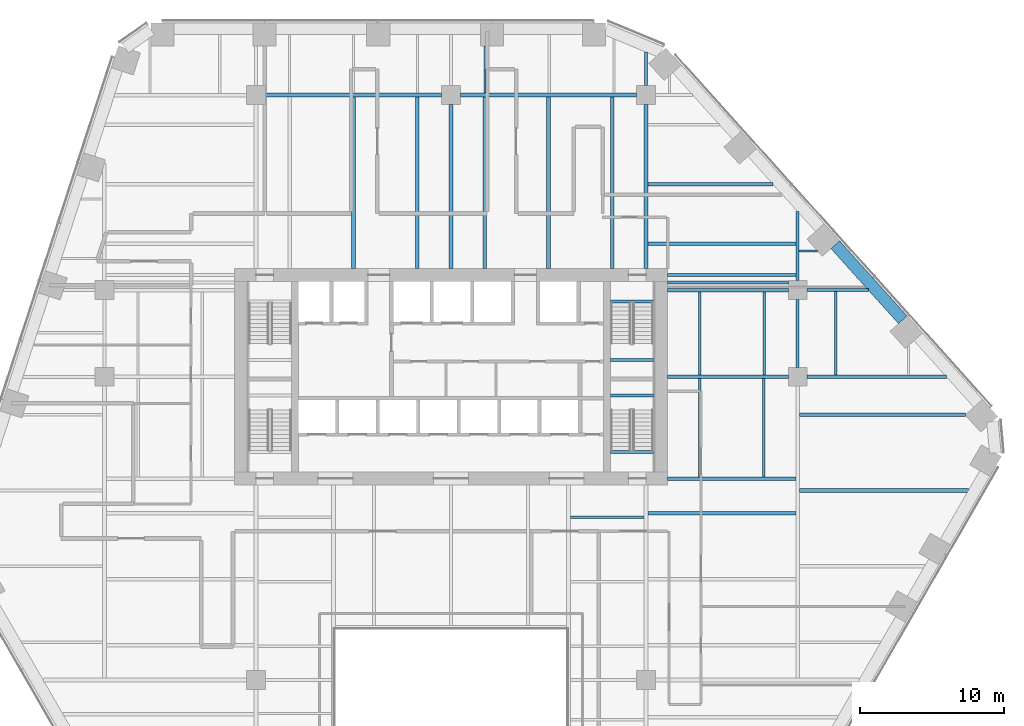
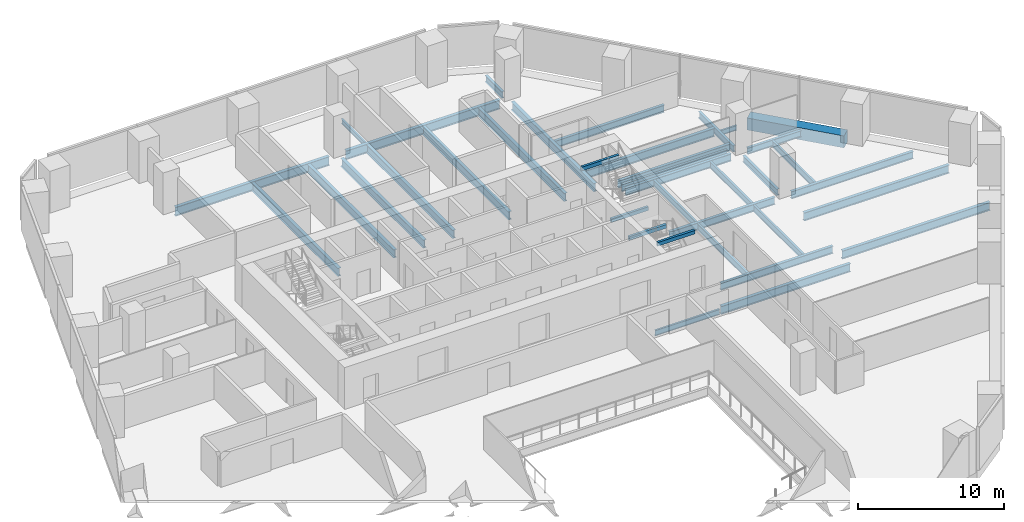
# One storey, part 9 of 21: 37 beams.
"""IFC4 building model written with IfcOpenShell, lengths in metres."""

from ifc_helpers import new_model, si_unit, direction, frame, origin, origin_2d, place, context, subcontext, project, spatial, rectangle, i_section, extrude, material, material_profile, profile_set, type_object, element, save


model = new_model("IFC4")

# Units and contexts
model_context = context("Model", 3, precision=1e-05, world=origin(), true_north=direction((0.0, 1.0)))
body_context = subcontext(model_context, "Body", "Model", "MODEL_VIEW")
ifc_project = project(units=[si_unit("LENGTHUNIT", "METRE"), si_unit("AREAUNIT", "SQUARE_METRE"), si_unit("VOLUMEUNIT", "CUBIC_METRE"), si_unit("PLANEANGLEUNIT", "RADIAN"), si_unit("MASSUNIT", "GRAM", prefix="KILO")], contexts=[model_context])

# Site, building, storey
site_placement = place(None, origin())
site = spatial("IfcSite", under=ifc_project, at=site_placement, CompositionType="ELEMENT")
building_placement = place(site_placement, origin())
building = spatial("IfcBuilding", under=site, at=building_placement, Name="Isthmus Gate Tower", CompositionType="ELEMENT")
storey_placement = place(building_placement, frame((0.0, 0.0, 102.550048828125)))
storey = spatial("IfcBuildingStorey", under=building, at=storey_placement, Name="L24", CompositionType="ELEMENT", Elevation=102.550048828125)

# Beams
ifc_material_1 = material(Name="Concrete f'c 70 MPa", Category="concrete")
ifc_material_profile_1 = material_profile(ifc_material_1, rectangle(XDim=0.800048828125, YDim=1.0, at=origin_2d()), Name="RC 800X1000")
ifc_profile_set_1 = profile_set([ifc_material_profile_1], Name="Concrete f'c 70 MPa")
beam_type_1 = type_object("IfcBeamType", Name="RC SPANDREL 800 X 1000", PredefinedType="SPANDREL", material=ifc_profile_set_1)
beam_1_placement = place(storey_placement, frame((26.597900390625, 16.640380859375, -0.5), z_axis=(0.669128753615, -0.743146493691, 0.0), x_axis=(0.743146493691, 0.669128753615, 0.0)))
element("IfcBeam", 1, at=beam_1_placement, inside=storey, type_object=beam_type_1, Name="str-spandrel-L24-03", PredefinedType="SPANDREL", context=body_context, shape_type="SweptSolid", body=[
    extrude(rectangle(XDim=0.800048828125, YDim=1.0, at=origin_2d()), origin(), (0.0, 0.0, 1.0), 6.9892578125),
])
ifc_material_2 = material(Name="Concrete f'c 40 MPa", Category="concrete")
ifc_material_profile_2 = material_profile(ifc_material_2, rectangle(XDim=0.199951171875, YDim=0.300048828125, at=origin_2d()), Name="STAIR LANDING BEAM RC 200 X 300")
ifc_profile_set_2 = profile_set([ifc_material_profile_2], Name="Concrete f'c 40 MPa")
beam_type_2 = type_object("IfcBeamType", Name="STAIR LANDING BEAM RC 200 X 300", PredefinedType="BEAM", material=ifc_profile_set_2)
for number, where, z_axis, x_axis, name in (
    (2, (11.050048828125, 8.64990234375, 1.474853515625), (1.0, 0.0, 0.0), (0.0, 1.0, 0.0), "L24 ST2 landing beam 1"),
    (3, (11.050048828125, 12.7001953125, 3.349853515625), (1.0, 0.0, 0.0), (0.0, 1.0, 0.0), "L24 ST2 floor-edge seat beam"),
    (4, (11.050048828125, 6.199951171875, 1.474853515625), (1.0, 0.0, 0.0), (0.0, 1.0, 0.0), "L24 ST8 landing beam 1"),
    (5, (11.050048828125, 2.2998046875, 3.349853515625), (1.0, 0.0, 0.0), (0.0, 1.0, 0.0), "L24 ST8 floor-edge seat beam"),
):
    element("IfcBeam", number, at=place(storey_placement, frame(where, z_axis=z_axis, x_axis=x_axis)), inside=storey, type_object=beam_type_2, Name=name, PredefinedType="BEAM", context=body_context, shape_type="SweptSolid", body=[
        extrude(rectangle(XDim=0.199951171875, YDim=0.300048828125, at=origin_2d()), origin(), (0.0, 0.0, 1.0), 2.949951171875),
    ])
ifc_material_3 = material(Name="Structural steel ASTM A992 Gr 50", Category="steel")
ifc_material_profile_3 = material_profile(ifc_material_3, i_section(OverallWidth=0.1396484375, OverallDepth=0.4033203125, WebThickness=0.00634765625, FlangeThickness=0.010986328125, at=origin_2d()), Name="W16X31")
ifc_profile_set_3 = profile_set([ifc_material_profile_3], Name="Structural steel ASTM A992 Gr 50")
beam_type_3 = type_object("IfcBeamType", Name="STEEL FLOOR BEAM W16X31", PredefinedType="JOIST", material=ifc_profile_set_3)
beam_2_placement = place(storey_placement, frame((2.33740234375, 27.1318359375, -0.3515625), z_axis=(0.0, 1.0, 0.0), x_axis=(-1.0, 0.0, 0.0)))
element("IfcBeam", 6, at=beam_2_placement, inside=storey, type_object=beam_type_3, Name="str-beam-L24-20-00", PredefinedType="JOIST", context=body_context, shape_type="SweptSolid", body=[
    extrude(i_section(OverallWidth=0.1396484375, OverallDepth=0.4033203125, WebThickness=0.00634765625, FlangeThickness=0.010986328125, at=origin_2d()), origin(), (0.0, 0.0, 1.0), 3.26806640625),
])
beam_3_placement = place(storey_placement, frame((24.104736328125, 16.208251953125, -0.3515625), z_axis=(1.0, 0.0, 0.0), x_axis=(0.0, 1.0, 0.0)))
element("IfcBeam", 7, at=beam_3_placement, inside=storey, type_object=beam_type_3, Name="str-beam-L24-32-00", PredefinedType="JOIST", context=body_context, shape_type="SweptSolid", body=[
    extrude(i_section(OverallWidth=0.1396484375, OverallDepth=0.4033203125, WebThickness=0.00634765625, FlangeThickness=0.010986328125, at=origin_2d()), origin(), (0.0, 0.0, 1.0), 1.267578125),
])
ifc_material_4 = material(Name="Structural steel ASTM A992 Gr 50", Category="steel")
ifc_material_profile_4 = material_profile(ifc_material_4, i_section(OverallWidth=0.15234375, OverallDepth=0.45068359375, WebThickness=0.0078125, FlangeThickness=0.010986328125, at=origin_2d()), Name="W18X35")
ifc_profile_set_4 = profile_set([ifc_material_profile_4], Name="Structural steel ASTM A992 Gr 50")
beam_type_4 = type_object("IfcBeamType", Name="STEEL FLOOR BEAM W18X35", PredefinedType="JOIST", material=ifc_profile_set_4)
beam_4_placement = place(storey_placement, frame((8.263427734375, -2.232421875, -0.37548828125), z_axis=(1.0, 0.0, 0.0), x_axis=(0.0, 1.0, 0.0)))
element("IfcBeam", 8, at=beam_4_placement, inside=storey, type_object=beam_type_4, Name="str-beam-L24-24-02", PredefinedType="JOIST", context=body_context, shape_type="SweptSolid", body=[
    extrude(i_section(OverallWidth=0.15234375, OverallDepth=0.45068359375, WebThickness=0.0078125, FlangeThickness=0.010986328125, at=origin_2d()), origin(), (0.0, 0.0, 1.0), 5.104736328125),
])
ifc_material_5 = material(Name="Structural steel ASTM A992 Gr 50", Category="steel")
ifc_material_profile_5 = material_profile(ifc_material_5, i_section(OverallWidth=0.1650390625, OverallDepth=0.52392578125, WebThickness=0.009521484375, FlangeThickness=0.010986328125, at=origin_2d()), Name="W21X44")
ifc_profile_set_5 = profile_set([ifc_material_profile_5], Name="Structural steel ASTM A992 Gr 50")
beam_type_5 = type_object("IfcBeamType", Name="STEEL FLOOR BEAM W21X44", PredefinedType="JOIST", material=ifc_profile_set_5)
for number, where, z_axis, x_axis, name in (
    (9, (17.223876953125, 7.6142578125, -0.412109375), (0.0, 1.0, 0.0), (-1.0, 0.0, 0.0), "str-beam-L24-30-00"),
    (10, (21.67138671875, 7.6142578125, -0.412109375), (0.0, 1.0, 0.0), (-1.0, 0.0, 0.0), "str-beam-L24-30-01"),
):
    element("IfcBeam", number, at=place(storey_placement, frame(where, z_axis=z_axis, x_axis=x_axis)), inside=storey, type_object=beam_type_5, Name=name, PredefinedType="JOIST", context=body_context, shape_type="SweptSolid", body=[
        extrude(i_section(OverallWidth=0.1650390625, OverallDepth=0.52392578125, WebThickness=0.009521484375, FlangeThickness=0.010986328125, at=origin_2d()), origin(), (0.0, 0.0, 1.0), 5.771484375),
    ])
for number, where, z_axis, x_axis, name in (
    (11, (17.216552734375, 0.564208984375, -0.412109375), (0.0, 1.0, 0.0), (-1.0, 0.0, 0.0), "str-beam-L24-31-00"),
    (12, (21.64990234375, 0.564208984375, -0.412109375), (0.0, 1.0, 0.0), (-1.0, 0.0, 0.0), "str-beam-L24-31-01"),
):
    element("IfcBeam", number, at=place(storey_placement, frame(where, z_axis=z_axis, x_axis=x_axis)), inside=storey, type_object=beam_type_5, Name=name, PredefinedType="JOIST", context=body_context, shape_type="SweptSolid", body=[
        extrude(i_section(OverallWidth=0.1650390625, OverallDepth=0.52392578125, WebThickness=0.009521484375, FlangeThickness=0.010986328125, at=origin_2d()), origin(), (0.0, 0.0, 1.0), 6.821533203125),
    ])
beam_5_placement = place(storey_placement, frame((26.625244140625, 7.6142578125, -0.412109375), z_axis=(0.0, 1.0, 0.0), x_axis=(-1.0, 0.0, 0.0)))
element("IfcBeam", 13, at=beam_5_placement, inside=storey, type_object=beam_type_5, Name="str-beam-L24-33-00", PredefinedType="JOIST", context=body_context, shape_type="SweptSolid", body=[
    extrude(i_section(OverallWidth=0.1650390625, OverallDepth=0.52392578125, WebThickness=0.009521484375, FlangeThickness=0.010986328125, at=origin_2d()), origin(), (0.0, 0.0, 1.0), 5.781005859375),
])
ifc_material_6 = material(Name="Structural steel ASTM A992 Gr 50", Category="steel")
ifc_material_profile_6 = material_profile(ifc_material_6, i_section(OverallWidth=0.177734375, OverallDepth=0.60009765625, WebThickness=0.009521484375, FlangeThickness=0.0126953125, at=origin_2d()), Name="W24X55")
ifc_profile_set_6 = profile_set([ifc_material_profile_6], Name="Structural steel ASTM A992 Gr 50")
beam_type_6 = type_object("IfcBeamType", Name="STEEL FLOOR BEAM W24X55", PredefinedType="JOIST", material=ifc_profile_set_6)
beam_6_placement = place(storey_placement, frame((15.0, 14.02490234375, -0.4501953125), z_axis=(1.0, 0.0, 0.0), x_axis=(0.0, 1.0, 0.0)))
element("IfcBeam", 14, at=beam_6_placement, inside=storey, type_object=beam_type_6, Name="str-beam-L24-29-00", PredefinedType="JOIST", context=body_context, shape_type="SweptSolid", body=[
    extrude(i_section(OverallWidth=0.177734375, OverallDepth=0.60009765625, WebThickness=0.009521484375, FlangeThickness=0.0126953125, at=origin_2d()), origin(), (0.0, 0.0, 1.0), 8.35009765625),
])
ifc_material_7 = material(Name="Structural steel ASTM A992 Gr 50", Category="steel")
ifc_material_profile_7 = material_profile(ifc_material_7, i_section(OverallWidth=0.228515625, OverallDepth=0.603271484375, WebThickness=0.010986328125, FlangeThickness=0.014404296875, at=origin_2d()), Name="W24X68")
ifc_profile_set_7 = profile_set([ifc_material_profile_7], Name="Structural steel ASTM A992 Gr 50")
beam_type_7 = type_object("IfcBeamType", Name="STEEL FLOOR BEAM W24X68", PredefinedType="JOIST", material=ifc_profile_set_7)
beam_7_placement = place(storey_placement, frame((13.626953125, 20.83203125, -0.45166015625), z_axis=(1.0, 0.0, 0.0), x_axis=(0.0, 1.0, 0.0)))
element("IfcBeam", 15, at=beam_7_placement, inside=storey, type_object=beam_type_7, Name="str-beam-L24-26-01", PredefinedType="JOIST", context=body_context, shape_type="SweptSolid", body=[
    extrude(i_section(OverallWidth=0.228515625, OverallDepth=0.603271484375, WebThickness=0.010986328125, FlangeThickness=0.014404296875, at=origin_2d()), origin(), (0.0, 0.0, 1.0), 8.658447265625),
])
ifc_material_8 = material(Name="Structural steel ASTM A992 Gr 50", Category="steel")
ifc_material_profile_8 = material_profile(ifc_material_8, i_section(OverallWidth=0.25390625, OverallDepth=0.679443359375, WebThickness=0.010986328125, FlangeThickness=0.015869140625, at=origin_2d()), Name="W27X84")
ifc_profile_set_8 = profile_set([ifc_material_profile_8], Name="Structural steel ASTM A992 Gr 50")
beam_type_8 = type_object("IfcBeamType", Name="STEEL FLOOR BEAM W27X84", PredefinedType="JOIST", material=ifc_profile_set_8)
for number, where, z_axis, x_axis, name in (
    (16, (-6.75, 15.0, -0.48974609375), (0.0, 1.0, 0.0), (-1.0, 0.0, 0.0), "str-beam-L24-14-01"),
    (17, (-2.334716796875, 15.0, -0.48974609375), (0.0, 1.0, 0.0), (-1.0, 0.0, 0.0), "str-beam-L24-14-02"),
    (18, (2.334716796875, 15.0, -0.48974609375), (0.0, 1.0, 0.0), (-1.0, 0.0, 0.0), "str-beam-L24-21-00"),
    (19, (6.75, 15.0, -0.48974609375), (0.0, 1.0, 0.0), (-1.0, 0.0, 0.0), "str-beam-L24-21-01"),
    (20, (11.165283203125, 15.0, -0.48974609375), (0.0, 1.0, 0.0), (-1.0, 0.0, 0.0), "str-beam-L24-21-02"),
):
    element("IfcBeam", number, at=place(storey_placement, frame(where, z_axis=z_axis, x_axis=x_axis)), inside=storey, type_object=beam_type_8, Name=name, PredefinedType="JOIST", context=body_context, shape_type="SweptSolid", body=[
        extrude(i_section(OverallWidth=0.25390625, OverallDepth=0.679443359375, WebThickness=0.010986328125, FlangeThickness=0.015869140625, at=origin_2d()), origin(), (0.0, 0.0, 1.0), 11.8681640625),
    ])
beam_8_placement = place(storey_placement, frame((13.626953125, 16.72021484375, -0.48974609375), z_axis=(1.0, 0.0, 0.0), x_axis=(0.0, 1.0, 0.0)))
element("IfcBeam", 21, at=beam_8_placement, inside=storey, type_object=beam_type_8, Name="str-beam-L24-26-00", PredefinedType="JOIST", context=body_context, shape_type="SweptSolid", body=[
    extrude(i_section(OverallWidth=0.25390625, OverallDepth=0.679443359375, WebThickness=0.010986328125, FlangeThickness=0.015869140625, at=origin_2d()), origin(), (0.0, 0.0, 1.0), 10.268310546875),
])
beam_9_placement = place(storey_placement, frame((13.6318359375, -1.947998046875, -0.48974609375), z_axis=(1.0, 0.0, 0.0), x_axis=(0.0, 1.0, 0.0)))
element("IfcBeam", 22, at=beam_9_placement, inside=storey, type_object=beam_type_8, Name="str-beam-L24-27-02", PredefinedType="JOIST", context=body_context, shape_type="SweptSolid", body=[
    extrude(i_section(OverallWidth=0.25390625, OverallDepth=0.679443359375, WebThickness=0.010986328125, FlangeThickness=0.015869140625, at=origin_2d()), origin(), (0.0, 0.0, 1.0), 10.23486328125),
])
beam_10_placement = place(storey_placement, frame((24.13330078125, -0.375, -0.48974609375), z_axis=(1.0, 0.0, 0.0), x_axis=(0.0, 1.0, 0.0)))
element("IfcBeam", 23, at=beam_10_placement, inside=storey, type_object=beam_type_8, Name="str-beam-L24-34-02", PredefinedType="JOIST", context=body_context, shape_type="SweptSolid", body=[
    extrude(i_section(OverallWidth=0.25390625, OverallDepth=0.679443359375, WebThickness=0.010986328125, FlangeThickness=0.015869140625, at=origin_2d()), origin(), (0.0, 0.0, 1.0), 11.6767578125),
])
beam_11_placement = place(storey_placement, frame((24.13330078125, 4.875, -0.48974609375), z_axis=(1.0, 0.0, 0.0), x_axis=(0.0, 1.0, 0.0)))
element("IfcBeam", 24, at=beam_11_placement, inside=storey, type_object=beam_type_8, Name="str-beam-L24-34-03", PredefinedType="JOIST", context=body_context, shape_type="SweptSolid", body=[
    extrude(i_section(OverallWidth=0.25390625, OverallDepth=0.679443359375, WebThickness=0.010986328125, FlangeThickness=0.015869140625, at=origin_2d()), origin(), (0.0, 0.0, 1.0), 11.484130859375),
])
ifc_material_9 = material(Name="Structural steel ASTM A992 Gr 50", Category="steel")
ifc_material_profile_9 = material_profile(ifc_material_9, i_section(OverallWidth=0.20947265625, OverallDepth=0.533447265625, WebThickness=0.009521484375, FlangeThickness=0.015869140625, at=origin_2d()), Name="W21X62")
ifc_profile_set_9 = profile_set([ifc_material_profile_9], Name="Structural steel ASTM A992 Gr 50")
beam_type_9 = type_object("IfcBeamType", Name="STEEL GIRDER W21X62", PredefinedType="BEAM", material=ifc_profile_set_9)
beam_12_placement = place(storey_placement, frame((24.64990234375, 13.5, -0.416748046875), z_axis=(1.0, 0.0, 0.0), x_axis=(0.0, 1.0, 0.0)))
element("IfcBeam", 25, at=beam_12_placement, inside=storey, type_object=beam_type_9, Name="str-girder-L24-16", PredefinedType="BEAM", context=body_context, shape_type="SweptSolid", body=[
    extrude(i_section(OverallWidth=0.20947265625, OverallDepth=0.533447265625, WebThickness=0.009521484375, FlangeThickness=0.015869140625, at=origin_2d()), origin(), (0.0, 0.0, 1.0), 4.2373046875),
])
beam_13_placement = place(storey_placement, frame((13.5, 27.64990234375, -0.416748046875), z_axis=(0.0, 1.0, 0.0), x_axis=(-1.0, 0.0, 0.0)))
element("IfcBeam", 26, at=beam_13_placement, inside=storey, type_object=beam_type_9, Name="str-girder-L24-35", PredefinedType="BEAM", context=body_context, shape_type="SweptSolid", body=[
    extrude(i_section(OverallWidth=0.20947265625, OverallDepth=0.533447265625, WebThickness=0.009521484375, FlangeThickness=0.015869140625, at=origin_2d()), origin(), (0.0, 0.0, 1.0), 2.320068359375),
])
beam_14_placement = place(storey_placement, frame((24.0, 8.14990234375, -0.416748046875), z_axis=(0.0, 1.0, 0.0), x_axis=(-1.0, 0.0, 0.0)))
element("IfcBeam", 27, at=beam_14_placement, inside=storey, type_object=beam_type_9, Name="str-girder-L24-37", PredefinedType="BEAM", context=body_context, shape_type="SweptSolid", body=[
    extrude(i_section(OverallWidth=0.20947265625, OverallDepth=0.533447265625, WebThickness=0.009521484375, FlangeThickness=0.015869140625, at=origin_2d()), origin(), (0.0, 0.0, 1.0), 4.7001953125),
])
beam_15_placement = place(storey_placement, frame((24.0, 14.14990234375, -0.416748046875), z_axis=(0.0, 1.0, 0.0), x_axis=(-1.0, 0.0, 0.0)))
element("IfcBeam", 28, at=beam_15_placement, inside=storey, type_object=beam_type_9, Name="str-girder-L24-38", PredefinedType="BEAM", context=body_context, shape_type="SweptSolid", body=[
    extrude(i_section(OverallWidth=0.20947265625, OverallDepth=0.533447265625, WebThickness=0.009521484375, FlangeThickness=0.015869140625, at=origin_2d()), origin(), (0.0, 0.0, 1.0), 4.778076171875),
])
ifc_material_10 = material(Name="Structural steel ASTM A992 Gr 50", Category="steel")
ifc_material_profile_10 = material_profile(ifc_material_10, i_section(OverallWidth=0.228515625, OverallDepth=0.6064453125, WebThickness=0.010986328125, FlangeThickness=0.017578125, at=origin_2d()), Name="W24X76")
ifc_profile_set_10 = profile_set([ifc_material_profile_10], Name="Structural steel ASTM A992 Gr 50")
beam_type_10 = type_object("IfcBeamType", Name="STEEL GIRDER W24X76", PredefinedType="BEAM", material=ifc_profile_set_10)
beam_16_placement = place(storey_placement, frame((15.0, 7.5, -0.453369140625), z_axis=(1.0, 0.0, 0.0), x_axis=(0.0, 1.0, 0.0)))
element("IfcBeam", 29, at=beam_16_placement, inside=storey, type_object=beam_type_10, Name="str-girder-L24-11", PredefinedType="BEAM", context=body_context, shape_type="SweptSolid", body=[
    extrude(i_section(OverallWidth=0.228515625, OverallDepth=0.6064453125, WebThickness=0.010986328125, FlangeThickness=0.017578125, at=origin_2d()), origin(), (0.0, 0.0, 1.0), 8.35009765625),
])
beam_17_placement = place(storey_placement, frame((24.64990234375, 7.5, -0.453369140625), z_axis=(1.0, 0.0, 0.0), x_axis=(0.0, 1.0, 0.0)))
element("IfcBeam", 30, at=beam_17_placement, inside=storey, type_object=beam_type_10, Name="str-girder-L24-12", PredefinedType="BEAM", context=body_context, shape_type="SweptSolid", body=[
    extrude(i_section(OverallWidth=0.228515625, OverallDepth=0.6064453125, WebThickness=0.010986328125, FlangeThickness=0.017578125, at=origin_2d()), origin(), (0.0, 0.0, 1.0), 9.639892578125),
])
beam_18_placement = place(storey_placement, frame((15.0, 13.5, -0.453369140625), z_axis=(1.0, 0.0, 0.0), x_axis=(0.0, 1.0, 0.0)))
element("IfcBeam", 31, at=beam_18_placement, inside=storey, type_object=beam_type_10, Name="str-girder-L24-15", PredefinedType="BEAM", context=body_context, shape_type="SweptSolid", body=[
    extrude(i_section(OverallWidth=0.228515625, OverallDepth=0.6064453125, WebThickness=0.010986328125, FlangeThickness=0.017578125, at=origin_2d()), origin(), (0.0, 0.0, 1.0), 8.35009765625),
])
beam_19_placement = place(storey_placement, frame((15.0, 0.449951171875, -0.453369140625), z_axis=(1.0, 0.0, 0.0), x_axis=(0.0, 1.0, 0.0)))
element("IfcBeam", 32, at=beam_19_placement, inside=storey, type_object=beam_type_10, Name="str-girder-L24-40", PredefinedType="BEAM", context=body_context, shape_type="SweptSolid", body=[
    extrude(i_section(OverallWidth=0.228515625, OverallDepth=0.6064453125, WebThickness=0.010986328125, FlangeThickness=0.017578125, at=origin_2d()), origin(), (0.0, 0.0, 1.0), 8.86669921875),
])
beam_20_placement = place(storey_placement, frame((15.0, 14.550048828125, -0.453369140625), z_axis=(1.0, 0.0, 0.0), x_axis=(0.0, 1.0, 0.0)))
element("IfcBeam", 33, at=beam_20_placement, inside=storey, type_object=beam_type_10, Name="str-girder-L24-42", PredefinedType="BEAM", context=body_context, shape_type="SweptSolid", body=[
    extrude(i_section(OverallWidth=0.228515625, OverallDepth=0.6064453125, WebThickness=0.010986328125, FlangeThickness=0.017578125, at=origin_2d()), origin(), (0.0, 0.0, 1.0), 8.895263671875),
])
ifc_material_11 = material(Name="Structural steel ASTM A992 Gr 50", Category="steel")
ifc_material_profile_11 = material_profile(ifc_material_11, i_section(OverallWidth=0.25390625, OverallDepth=0.679443359375, WebThickness=0.010986328125, FlangeThickness=0.015869140625, at=origin_2d()), Name="W27X84")
ifc_profile_set_11 = profile_set([ifc_material_profile_11], Name="Structural steel ASTM A992 Gr 50")
beam_type_11 = type_object("IfcBeamType", Name="STEEL GIRDER W27X84", PredefinedType="BEAM", material=ifc_profile_set_11)
for number, where, z_axis, x_axis, name in (
    (34, (0.0, 15.0, -0.48974609375), (0.0, 1.0, 0.0), (-1.0, 0.0, 0.0), "str-girder-L24-30"),
    (35, (13.5, 15.0, -0.48974609375), (0.0, 1.0, 0.0), (-1.0, 0.0, 0.0), "str-girder-L24-34"),
):
    element("IfcBeam", number, at=place(storey_placement, frame(where, z_axis=z_axis, x_axis=x_axis)), inside=storey, type_object=beam_type_11, Name=name, PredefinedType="BEAM", context=body_context, shape_type="SweptSolid", body=[
        extrude(i_section(OverallWidth=0.25390625, OverallDepth=0.679443359375, WebThickness=0.010986328125, FlangeThickness=0.015869140625, at=origin_2d()), origin(), (0.0, 0.0, 1.0), 11.35009765625),
    ])
ifc_material_12 = material(Name="Structural steel ASTM A992 Gr 50", Category="steel")
ifc_material_profile_12 = material_profile(ifc_material_12, i_section(OverallWidth=0.263427734375, OverallDepth=0.749267578125, WebThickness=0.0126953125, FlangeThickness=0.015869140625, at=origin_2d()), Name="W30X90")
ifc_profile_set_12 = profile_set([ifc_material_profile_12], Name="Structural steel ASTM A992 Gr 50")
beam_type_12 = type_object("IfcBeamType", Name="STEEL GIRDER W30X90", PredefinedType="BEAM", material=ifc_profile_set_12)
for number, where, z_axis, x_axis, name in (
    (36, (-12.85009765625, 27.0, -0.524658203125), (1.0, 0.0, 0.0), (0.0, 1.0, 0.0), "str-girder-L24-18"),
    (37, (0.64990234375, 27.0, -0.524658203125), (1.0, 0.0, 0.0), (0.0, 1.0, 0.0), "str-girder-L24-19"),
):
    element("IfcBeam", number, at=place(storey_placement, frame(where, z_axis=z_axis, x_axis=x_axis)), inside=storey, type_object=beam_type_12, Name=name, PredefinedType="BEAM", context=body_context, shape_type="SweptSolid", body=[
        extrude(i_section(OverallWidth=0.263427734375, OverallDepth=0.749267578125, WebThickness=0.0126953125, FlangeThickness=0.015869140625, at=origin_2d()), origin(), (0.0, 0.0, 1.0), 12.2001953125),
    ])

save(model, "model.ifc")
